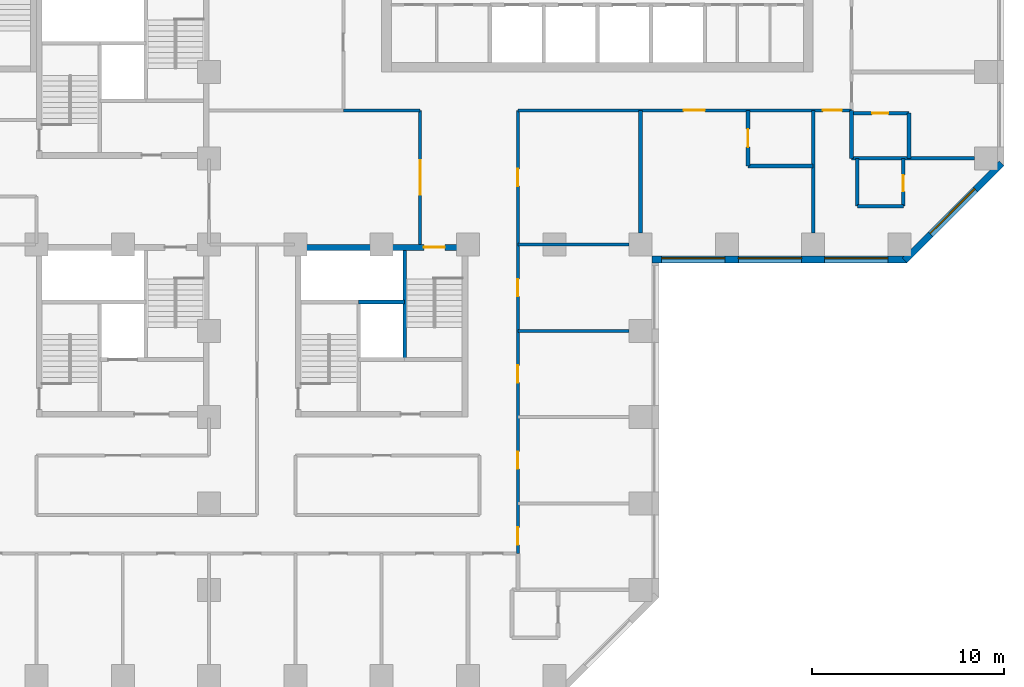
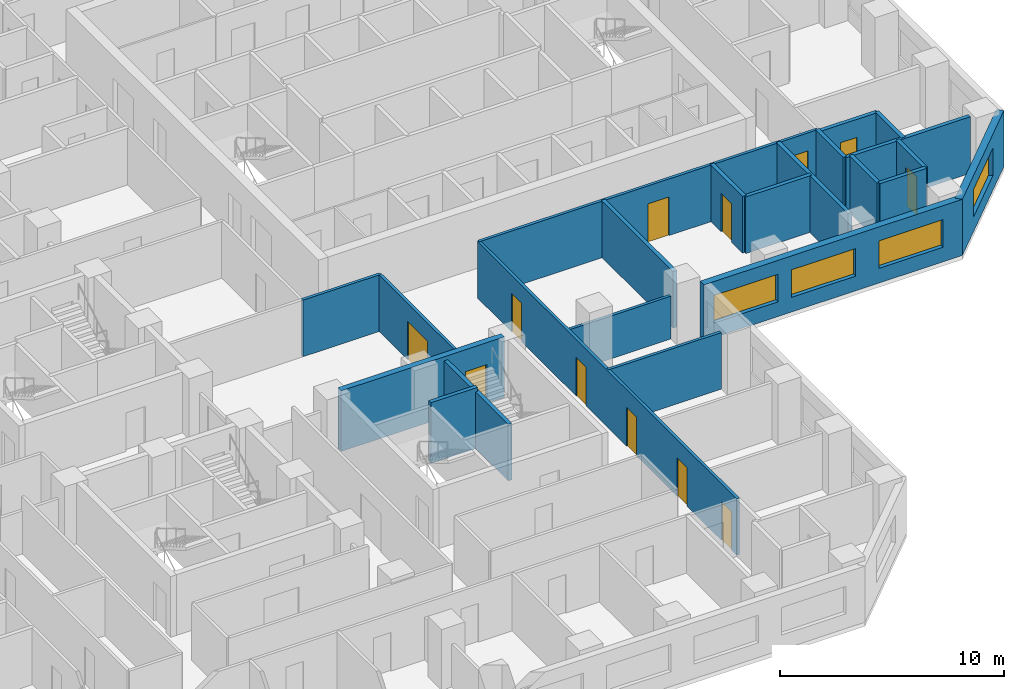
# One storey, part 5 of 13: 22 walls, 12 doors, 4 windows, 16 openings.
"""IFC4 building model written with IfcOpenShell, lengths in metres."""

from ifc_helpers import new_model, si_unit, direction, frame, frame_2d, origin, place, context, subcontext, project, spatial, rectangle, extrude, material, layer, layer_set, constituent, constituent_set, type_object, element, fill, save


model = new_model("IFC4")

# Units and contexts
model_context = context("Model", 3, precision=1e-05, world=origin(), true_north=direction((0.0, 1.0)))
body_context = subcontext(model_context, "Body", "Model", "MODEL_VIEW")
ifc_project = project(units=[si_unit("LENGTHUNIT", "METRE"), si_unit("AREAUNIT", "SQUARE_METRE"), si_unit("VOLUMEUNIT", "CUBIC_METRE"), si_unit("PLANEANGLEUNIT", "RADIAN"), si_unit("MASSUNIT", "GRAM", prefix="KILO")], contexts=[model_context])

# Site, building, storey
site_placement = place(None, origin())
site = spatial("IfcSite", under=ifc_project, at=site_placement, CompositionType="ELEMENT")
building_placement = place(site_placement, origin())
building = spatial("IfcBuilding", under=site, at=building_placement, Name="Quoin Convention Tower", CompositionType="ELEMENT")
storey_placement = place(building_placement, frame((0.0, 0.0, 23.10009765625)))
storey = spatial("IfcBuildingStorey", under=building, at=storey_placement, Name="L04", CompositionType="ELEMENT", Elevation=23.10009765625)

# Wall, openings, windows
ifc_material_1 = material(Name="Brick masonry", Category="masonry")
ifc_layer_1 = layer(ifc_material_1, 0.35009765625)
ifc_layer_set_1 = layer_set([ifc_layer_1], Name="Brick masonry")
wall_type_1 = type_object("IfcWallType", Name="Brick facade wall", PredefinedType="STANDARD", material=ifc_layer_set_1)
wall_1_placement = place(storey_placement, frame((59.10009765625, 39.72509765625, 0.0), z_axis=(0.0, 0.0, 1.0), x_axis=(1.0, 0.0, 0.0)))
wall_1 = element("IfcWall", 1, at=wall_1_placement, inside=storey, type_object=wall_type_1, Name="fw-L04-58500_40500", PredefinedType="STANDARD", context=body_context, shape_type="SweptSolid", body=[
    extrude(rectangle(XDim=13.29345703125, YDim=0.35009765625, at=frame_2d((6.646728515625, 0.0))), origin(), (0.0, 0.0, 1.0), 3.054931640625),
])
opening_1_placement = place(wall_1_placement, frame((0.5, 0.0, 0.800048828125)))
opening_1 = element("IfcOpeningElement", 2, at=opening_1_placement, cuts=wall_1, Name="Opening W-01", PredefinedType="OPENING", context=body_context, shape_type="SweptSolid", body=[
    extrude(rectangle(XDim=3.300048828125, YDim=1.5, at=frame_2d((1.64990234375, 0.75))), frame((0.0, 0.18505859375, 0.0), z_axis=(0.0, -1.0, 0.0), x_axis=(1.0, 0.0, 0.0)), (0.0, 0.0, 1.0), 0.3701171875),
])
opening_2_placement = place(wall_1_placement, frame((4.5, 0.0, 0.800048828125)))
opening_2 = element("IfcOpeningElement", 3, at=opening_2_placement, cuts=wall_1, Name="Opening W-01", PredefinedType="OPENING", context=body_context, shape_type="SweptSolid", body=[
    extrude(rectangle(XDim=3.300048828125, YDim=1.5, at=frame_2d((1.64990234375, 0.75))), frame((0.0, 0.18505859375, 0.0), z_axis=(0.0, -1.0, 0.0), x_axis=(1.0, 0.0, 0.0)), (0.0, 0.0, 1.0), 0.3701171875),
])
opening_3_placement = place(wall_1_placement, frame((9.0, 0.0, 0.800048828125)))
opening_3 = element("IfcOpeningElement", 4, at=opening_3_placement, cuts=wall_1, Name="Opening W-01", PredefinedType="OPENING", context=body_context, shape_type="SweptSolid", body=[
    extrude(rectangle(XDim=3.300048828125, YDim=1.5, at=frame_2d((1.64990234375, 0.75))), frame((0.0, 0.18505859375, 0.0), z_axis=(0.0, -1.0, 0.0), x_axis=(1.0, 0.0, 0.0)), (0.0, 0.0, 1.0), 0.3701171875),
])
ifc_material_2 = material(Name="Aluminium", Category="aluminium")
ifc_constituent_1 = constituent(ifc_material_2, Name="Frame")
ifc_material_3 = material(Name="Insulated glass", Category="glass")
ifc_constituent_2 = constituent(ifc_material_3, Name="Glazing")
ifc_constituent_set = constituent_set(constituents=[ifc_constituent_1, ifc_constituent_2], Name="Aluminium")
window_type = type_object("IfcWindowType", Name="Hotel strip window", PartitioningType="DOUBLE_PANEL_VERTICAL", PredefinedType="WINDOW", material=ifc_constituent_set)
window_1_placement = place(opening_1_placement, origin())
window_1 = element("IfcWindow", 5, at=window_1_placement, inside=storey, type_object=window_type, Name="win-L04-60750_39725", OverallHeight=1.5, OverallWidth=3.300048828125, PartitioningType="SINGLE_PANEL", PredefinedType="WINDOW", context=body_context, shape_type="SweptSolid", body=[
    extrude(rectangle(XDim=3.300048828125, YDim=1.5, at=frame_2d((1.64990234375, 0.75))), frame((0.0, 0.0849609375, 0.0), z_axis=(0.0, -1.0, 0.0), x_axis=(1.0, 0.0, 0.0)), (0.0, 0.0, 1.0), 0.06005859375),
])
fill(opening_1, window_1)
window_2_placement = place(opening_2_placement, origin())
window_2 = element("IfcWindow", 6, at=window_2_placement, inside=storey, type_object=window_type, Name="win-L04-65250_39725", OverallHeight=1.5, OverallWidth=3.300048828125, PartitioningType="SINGLE_PANEL", PredefinedType="WINDOW", context=body_context, shape_type="SweptSolid", body=[
    extrude(rectangle(XDim=3.300048828125, YDim=1.5, at=frame_2d((1.64990234375, 0.75))), frame((0.0, 0.0849609375, 0.0), z_axis=(0.0, -1.0, 0.0), x_axis=(1.0, 0.0, 0.0)), (0.0, 0.0, 1.0), 0.06005859375),
])
fill(opening_2, window_2)
window_3_placement = place(opening_3_placement, origin())
window_3 = element("IfcWindow", 7, at=window_3_placement, inside=storey, type_object=window_type, Name="win-L04-69750_39725", OverallHeight=1.5, OverallWidth=3.300048828125, PartitioningType="SINGLE_PANEL", PredefinedType="WINDOW", context=body_context, shape_type="SweptSolid", body=[
    extrude(rectangle(XDim=3.300048828125, YDim=1.5, at=frame_2d((1.64990234375, 0.75))), frame((0.0, 0.0849609375, 0.0), z_axis=(0.0, -1.0, 0.0), x_axis=(1.0, 0.0, 0.0)), (0.0, 0.0, 1.0), 0.06005859375),
])
fill(opening_3, window_3)

# Wall, opening, window
wall_2_placement = place(storey_placement, frame((72.269775390625, 39.673583984375, 0.0), z_axis=(0.0, 0.0, 1.0), x_axis=(0.707106781187, 0.707106781187, 0.0)))
wall_2 = element("IfcWall", 8, at=wall_2_placement, inside=storey, type_object=wall_type_1, Name="fw-L04-72000_40500", PredefinedType="STANDARD", context=body_context, shape_type="SweptSolid", body=[
    extrude(rectangle(XDim=7.151123046875, YDim=0.35009765625, at=frame_2d((3.57568359375, 0.0))), origin(), (0.0, 0.0, 1.0), 3.054931640625),
])
opening_4_placement = place(wall_2_placement, frame((1.925537109375, 0.0, 0.800048828125)))
opening_4 = element("IfcOpeningElement", 9, at=opening_4_placement, cuts=wall_2, Name="Opening W-01", PredefinedType="OPENING", context=body_context, shape_type="SweptSolid", body=[
    extrude(rectangle(XDim=3.300048828125, YDim=1.5, at=frame_2d((1.64990234375, 0.75))), frame((0.0, 0.18505859375, 0.0), z_axis=(0.0, -1.0, 0.0), x_axis=(1.0, 0.0, 0.0)), (0.0, 0.0, 1.0), 0.3701171875),
])
window_4_placement = place(opening_4_placement, origin())
window_4 = element("IfcWindow", 10, at=window_4_placement, inside=storey, type_object=window_type, Name="win-L04-74798_42202", OverallHeight=1.5, OverallWidth=3.300048828125, PartitioningType="SINGLE_PANEL", PredefinedType="WINDOW", context=body_context, shape_type="SweptSolid", body=[
    extrude(rectangle(XDim=3.300048828125, YDim=1.5, at=frame_2d((1.64990234375, 0.75))), frame((0.0, 0.0849609375, 0.0), z_axis=(0.0, -1.0, 0.0), x_axis=(1.0, 0.0, 0.0)), (0.0, 0.0, 1.0), 0.06005859375),
])
fill(opening_4, window_4)

# Walls
ifc_material_4 = material(Name="Concrete C50", Category="concrete")
ifc_layer_2 = layer(ifc_material_4, 0.199951171875)
ifc_layer_set_2 = layer_set([ifc_layer_2], Name="Concrete C50")
wall_type_2 = type_object("IfcWallType", Name="Core shaft wall", PredefinedType="SOLIDWALL", material=ifc_layer_set_2)
wall_3_placement = place(storey_placement, frame((46.199951171875, 34.5, 0.0), z_axis=(0.0, 0.0, 1.0), x_axis=(0.0, 1.0, 0.0)))
element("IfcWall", 11, at=wall_3_placement, inside=storey, type_object=wall_type_2, Name="cr-P3-L04-v5700_3000", PredefinedType="SOLIDWALL", context=body_context, shape_type="SweptSolid", body=[
    extrude(rectangle(XDim=5.699951171875, YDim=0.199951171875, at=frame_2d((2.85009765625, 0.0))), origin(), (0.0, 0.0, 1.0), 3.079833984375),
])
ifc_layer_3 = layer(ifc_material_4, 0.199951171875)
ifc_layer_set_3 = layer_set([ifc_layer_3], Name="Concrete C50")
wall_type_3 = type_object("IfcWallType", Name="Core shaft wall to the floor level over", PredefinedType="SOLIDWALL", material=ifc_layer_set_3)
wall_4_placement = place(storey_placement, frame((43.800048828125, 37.5, 0.0), z_axis=(0.0, 0.0, 1.0), x_axis=(1.0, 0.0, 0.0)))
element("IfcWall", 12, at=wall_4_placement, inside=storey, type_object=wall_type_3, Name="cr-P3-L04-h6000_3300", PredefinedType="SOLIDWALL", context=body_context, shape_type="SweptSolid", body=[
    extrude(rectangle(XDim=2.39990234375, YDim=0.199951171875, at=frame_2d((1.199951171875, 0.0))), origin(), (0.0, 0.0, 1.0), 3.2998046875),
])

# Wall, opening, door
ifc_material_5 = material(Name="Concrete C80", Category="concrete")
ifc_layer_4 = layer(ifc_material_5, 0.300048828125)
ifc_layer_set_4 = layer_set([ifc_layer_4], Name="Concrete C80")
wall_type_4 = type_object("IfcWallType", Name="RC CORE WALL 300 C80", PredefinedType="SHEAR", material=ifc_layer_set_4)
wall_5_placement = place(storey_placement, frame((40.800048828125, 40.35009765625, 0.0), z_axis=(0.0, 0.0, 1.0), x_axis=(1.0, 0.0, 0.0)))
wall_5 = element("IfcWall", 13, at=wall_5_placement, inside=storey, type_object=wall_type_4, Name="cwl-P3-L04-N", PredefinedType="SHEAR", context=body_context, shape_type="SweptSolid", body=[
    extrude(rectangle(XDim=8.39990234375, YDim=0.300048828125, at=frame_2d((4.199951171875, 0.0))), origin(), (0.0, 0.0, 1.0), 3.2998046875),
])
opening_5_placement = place(wall_5_placement, frame((6.39990234375, 0.0, 0.0)))
opening_5 = element("IfcOpeningElement", 14, at=opening_5_placement, cuts=wall_5, Name="Opening SD6", PredefinedType="OPENING", context=body_context, shape_type="SweptSolid", body=[
    extrude(rectangle(XDim=1.10009765625, YDim=2.10009765625, at=frame_2d((0.550048828125, 1.050048828125))), frame((0.0, 0.159912109375, 0.0), z_axis=(0.0, -1.0, 0.0), x_axis=(1.0, 0.0, 0.0)), (0.0, 0.0, 1.0), 0.320068359375),
])
ifc_material_6 = material(Name="Steel door leaf", Category="steel")
door_type_1 = type_object("IfcDoorType", Name="Stair door 1100 x 2100", OperationType="SINGLE_SWING_RIGHT", PredefinedType="DOOR", material=ifc_material_6)
door_1_placement = place(opening_5_placement, frame((1.10009765625, 0.0, 0.0), z_axis=(0.0, 0.0, 1.0), x_axis=(-1.0, 0.0, 0.0)))
door_1 = element("IfcDoor", 15, at=door_1_placement, inside=storey, type_object=door_type_1, Name="cd-P3-L04-SB-N", OperationType="SINGLE_SWING_LEFT", OverallHeight=2.10009765625, OverallWidth=1.10009765625, PredefinedType="DOOR", context=body_context, shape_type="SweptSolid", body=[
    extrude(rectangle(XDim=1.10009765625, YDim=2.10009765625, at=frame_2d((0.550048828125, 1.050048828125))), frame((0.0, 0.02490234375, 0.0), z_axis=(0.0, -1.0, 0.0), x_axis=(1.0, 0.0, 0.0)), (0.0, 0.0, 1.0), 0.050048828125),
])
fill(opening_5, door_1)

# Walls
ifc_layer_5 = layer(ifc_material_4, 0.199951171875)
ifc_layer_set_5 = layer_set([ifc_layer_5], Name="Concrete C50")
wall_type_5 = type_object("IfcWallType", Name="RC party wall", PredefinedType="SOLIDWALL", material=ifc_layer_set_5)
wall_6_placement = place(storey_placement, frame((67.5, 41.10009765625, 0.0), z_axis=(0.0, 0.0, 1.0), x_axis=(0.0, 1.0, 0.0)))
element("IfcWall", 16, at=wall_6_placement, inside=storey, type_object=wall_type_5, Name="pw-L04-058", PredefinedType="SOLIDWALL", context=body_context, shape_type="SweptSolid", body=[
    extrude(rectangle(XDim=6.39990234375, YDim=0.199951171875, at=frame_2d((3.199951171875, 0.0))), origin(), (0.0, 0.0, 1.0), 3.079833984375),
])
wall_7_placement = place(storey_placement, frame((69.800048828125, 42.5, 0.0), z_axis=(0.0, 0.0, 1.0), x_axis=(1.0, 0.0, 0.0)))
element("IfcWall", 17, at=wall_7_placement, inside=storey, type_object=wall_type_5, Name="pw-L04-059", PredefinedType="SOLIDWALL", context=body_context, shape_type="SweptSolid", body=[
    extrude(rectangle(XDim=2.39990234375, YDim=0.199951171875, at=frame_2d((1.199951171875, 0.0))), origin(), (0.0, 0.0, 1.0), 3.079833984375),
])
wall_8_placement = place(storey_placement, frame((69.800048828125, 42.5, 0.0), z_axis=(0.0, 0.0, 1.0), x_axis=(0.0, 1.0, 0.0)))
element("IfcWall", 18, at=wall_8_placement, inside=storey, type_object=wall_type_5, Name="pw-L04-060", PredefinedType="SOLIDWALL", context=body_context, shape_type="SweptSolid", body=[
    extrude(rectangle(XDim=2.5, YDim=0.199951171875, at=frame_2d((1.25, 0.0))), origin(), (0.0, 0.0, 1.0), 3.079833984375),
])

# Wall, opening, door
wall_9_placement = place(storey_placement, frame((72.199951171875, 42.5, 0.0), z_axis=(0.0, 0.0, 1.0), x_axis=(0.0, 1.0, 0.0)))
wall_9 = element("IfcWall", 19, at=wall_9_placement, inside=storey, type_object=wall_type_5, Name="pw-L04-061", PredefinedType="SOLIDWALL", context=body_context, shape_type="SweptSolid", body=[
    extrude(rectangle(XDim=2.5, YDim=0.199951171875, at=frame_2d((1.25, 0.0))), origin(), (0.0, 0.0, 1.0), 3.079833984375),
])
opening_6_placement = place(wall_9_placement, frame((0.77490234375, 0.0, 0.0)))
opening_6 = element("IfcOpeningElement", 20, at=opening_6_placement, cuts=wall_9, Name="Opening DHOTEL-M-53", PredefinedType="OPENING", context=body_context, shape_type="SweptSolid", body=[
    extrude(rectangle(XDim=0.85009765625, YDim=2.10009765625, at=frame_2d((0.425048828125, 1.050048828125))), frame((0.0, 0.10986328125, 0.0), z_axis=(0.0, -1.0, 0.0), x_axis=(1.0, 0.0, 0.0)), (0.0, 0.0, 1.0), 0.219970703125),
])
door_type_2 = type_object("IfcDoorType", Name="Bathroom door", OperationType="SINGLE_SWING_LEFT", PredefinedType="DOOR", material=ifc_material_6)
door_2_placement = place(opening_6_placement, frame((0.85009765625, 0.0, 0.0), z_axis=(0.0, 0.0, 1.0), x_axis=(-1.0, 0.0, 0.0)))
door_2 = element("IfcDoor", 21, at=door_2_placement, inside=storey, type_object=door_type_2, Name="dr-L04-072", OperationType="SINGLE_SWING_LEFT", OverallHeight=2.10009765625, OverallWidth=0.85009765625, PredefinedType="DOOR", context=body_context, shape_type="SweptSolid", body=[
    extrude(rectangle(XDim=0.85009765625, YDim=2.10009765625, at=frame_2d((0.425048828125, 1.050048828125))), frame((0.0, 0.02490234375, 0.0), z_axis=(0.0, -1.0, 0.0), x_axis=(1.0, 0.0, 0.0)), (0.0, 0.0, 1.0), 0.050048828125),
])
fill(opening_6, door_2)

# Wall
wall_10_placement = place(storey_placement, frame((64.10009765625, 44.60009765625, 0.0), z_axis=(0.0, 0.0, 1.0), x_axis=(1.0, 0.0, 0.0)))
element("IfcWall", 22, at=wall_10_placement, inside=storey, type_object=wall_type_5, Name="pw-L04-063", PredefinedType="SOLIDWALL", context=body_context, shape_type="SweptSolid", body=[
    extrude(rectangle(XDim=3.39990234375, YDim=0.199951171875, at=frame_2d((1.699951171875, 0.0))), origin(), (0.0, 0.0, 1.0), 3.079833984375),
])

# Wall, opening, door
wall_11_placement = place(storey_placement, frame((64.10009765625, 44.60009765625, 0.0), z_axis=(0.0, 0.0, 1.0), x_axis=(0.0, 1.0, 0.0)))
wall_11 = element("IfcWall", 23, at=wall_11_placement, inside=storey, type_object=wall_type_5, Name="pw-L04-064", PredefinedType="SOLIDWALL", context=body_context, shape_type="SweptSolid", body=[
    extrude(rectangle(XDim=2.89990234375, YDim=0.199951171875, at=frame_2d((1.449951171875, 0.0))), origin(), (0.0, 0.0, 1.0), 3.079833984375),
])
opening_7_placement = place(wall_11_placement, frame((0.97509765625, 0.0, 0.0)))
opening_7 = element("IfcOpeningElement", 24, at=opening_7_placement, cuts=wall_11, Name="Opening DHOTEL-M-55", PredefinedType="OPENING", context=body_context, shape_type="SweptSolid", body=[
    extrude(rectangle(XDim=0.949951171875, YDim=2.10009765625, at=frame_2d((0.47509765625, 1.050048828125))), frame((0.0, 0.10986328125, 0.0), z_axis=(0.0, -1.0, 0.0), x_axis=(1.0, 0.0, 0.0)), (0.0, 0.0, 1.0), 0.219970703125),
])
door_type_3 = type_object("IfcDoorType", Name="Accessible bathroom door", OperationType="SINGLE_SWING_LEFT", PredefinedType="DOOR", material=ifc_material_6)
door_3_placement = place(opening_7_placement, origin())
door_3 = element("IfcDoor", 25, at=door_3_placement, inside=storey, type_object=door_type_3, Name="dr-L04-060", OperationType="SINGLE_SWING_RIGHT", OverallHeight=2.10009765625, OverallWidth=0.949951171875, PredefinedType="DOOR", context=body_context, shape_type="SweptSolid", body=[
    extrude(rectangle(XDim=0.949951171875, YDim=2.10009765625, at=frame_2d((0.47509765625, 1.050048828125))), frame((0.0, 0.02490234375, 0.0), z_axis=(0.0, -1.0, 0.0), x_axis=(1.0, 0.0, 0.0)), (0.0, 0.0, 1.0), 0.050048828125),
])
fill(opening_7, door_3)

# Walls
wall_12_placement = place(storey_placement, frame((69.5, 45.0, 0.0), z_axis=(0.0, 0.0, 1.0), x_axis=(1.0, 0.0, 0.0)))
element("IfcWall", 26, at=wall_12_placement, inside=storey, type_object=wall_type_5, Name="pw-L04-066", PredefinedType="SOLIDWALL", context=body_context, shape_type="SweptSolid", body=[
    extrude(rectangle(XDim=6.39990234375, YDim=0.199951171875, at=frame_2d((3.199951171875, 0.0))), origin(), (0.0, 0.0, 1.0), 3.079833984375),
])
wall_13_placement = place(storey_placement, frame((69.5, 45.0, 0.0), z_axis=(0.0, 0.0, 1.0), x_axis=(0.0, 1.0, 0.0)))
element("IfcWall", 27, at=wall_13_placement, inside=storey, type_object=wall_type_5, Name="pw-L04-067", PredefinedType="SOLIDWALL", context=body_context, shape_type="SweptSolid", body=[
    extrude(rectangle(XDim=2.5, YDim=0.199951171875, at=frame_2d((1.25, 0.0))), origin(), (0.0, 0.0, 1.0), 3.079833984375),
])
wall_14_placement = place(storey_placement, frame((72.5, 45.0, 0.0), z_axis=(0.0, 0.0, 1.0), x_axis=(0.0, 1.0, 0.0)))
element("IfcWall", 28, at=wall_14_placement, inside=storey, type_object=wall_type_5, Name="pw-L04-068", PredefinedType="SOLIDWALL", context=body_context, shape_type="SweptSolid", body=[
    extrude(rectangle(XDim=2.35009765625, YDim=0.199951171875, at=frame_2d((1.175048828125, 0.0))), origin(), (0.0, 0.0, 1.0), 3.079833984375),
])

# Wall, opening, door
wall_15_placement = place(storey_placement, frame((69.5, 47.35009765625, 0.0), z_axis=(0.0, 0.0, 1.0), x_axis=(1.0, 0.0, 0.0)))
wall_15 = element("IfcWall", 29, at=wall_15_placement, inside=storey, type_object=wall_type_5, Name="pw-L04-069", PredefinedType="SOLIDWALL", context=body_context, shape_type="SweptSolid", body=[
    extrude(rectangle(XDim=3.0, YDim=0.199951171875, at=frame_2d((1.5, 0.0))), origin(), (0.0, 0.0, 1.0), 3.079833984375),
])
opening_8_placement = place(wall_15_placement, frame((1.074951171875, 0.0, 0.0)))
opening_8 = element("IfcOpeningElement", 30, at=opening_8_placement, cuts=wall_15, Name="Opening DHOTEL-M-56", PredefinedType="OPENING", context=body_context, shape_type="SweptSolid", body=[
    extrude(rectangle(XDim=0.85009765625, YDim=2.10009765625, at=frame_2d((0.425048828125, 1.050048828125))), frame((0.0, 0.10986328125, 0.0), z_axis=(0.0, -1.0, 0.0), x_axis=(1.0, 0.0, 0.0)), (0.0, 0.0, 1.0), 0.219970703125),
])
door_4_placement = place(opening_8_placement, origin())
door_4 = element("IfcDoor", 31, at=door_4_placement, inside=storey, type_object=door_type_2, Name="dr-L04-058", OperationType="SINGLE_SWING_LEFT", OverallHeight=2.10009765625, OverallWidth=0.85009765625, PredefinedType="DOOR", context=body_context, shape_type="SweptSolid", body=[
    extrude(rectangle(XDim=0.85009765625, YDim=2.10009765625, at=frame_2d((0.425048828125, 1.050048828125))), frame((0.0, 0.02490234375, 0.0), z_axis=(0.0, -1.0, 0.0), x_axis=(1.0, 0.0, 0.0)), (0.0, 0.0, 1.0), 0.050048828125),
])
fill(opening_8, door_4)

# Wall, openings, doors
ifc_material_7 = material(Name="Plasterboard")
ifc_layer_6 = layer(ifc_material_7, 0.012451171875, Name="Finish")
ifc_material_8 = material(Name="Steel stud framing", Category="steel")
ifc_layer_7 = layer(ifc_material_8, 0.125, Name="Structure")
ifc_layer_8 = layer(ifc_material_7, 0.012451171875, Name="Finish")
ifc_layer_set_6 = layer_set([ifc_layer_6, ifc_layer_7, ifc_layer_8], Name="Steel stud framing")
wall_type_6 = type_object("IfcWallType", Name="corridor partition", PredefinedType="PARTITIONING", material=ifc_layer_set_6)
wall_16_placement = place(storey_placement, frame((52.10009765625, 24.39990234375, 0.0), z_axis=(0.0, 0.0, 1.0), x_axis=(0.0, 1.0, 0.0)))
wall_16 = element("IfcWall", 32, at=wall_16_placement, inside=storey, type_object=wall_type_6, Name="pw-L04-006", PredefinedType="PARTITIONING", context=body_context, shape_type="SweptSolid", body=[
    extrude(rectangle(XDim=23.10009765625, YDim=0.14990234375, at=frame_2d((11.550048828125, 0.0))), origin(), (0.0, 0.0, 1.0), 3.079833984375),
])
opening_9_placement = place(wall_16_placement, frame((0.447021484375, 0.0, 0.0)))
opening_9 = element("IfcOpeningElement", 33, at=opening_9_placement, cuts=wall_16, Name="Opening DHOTEL-M-15", PredefinedType="OPENING", context=body_context, shape_type="SweptSolid", body=[
    extrude(rectangle(XDim=0.89990234375, YDim=2.10009765625, at=frame_2d((0.449951171875, 1.050048828125))), frame((0.0, 0.0849609375, 0.0), z_axis=(0.0, -1.0, 0.0), x_axis=(1.0, 0.0, 0.0)), (0.0, 0.0, 1.0), 0.169921875),
])
opening_10_placement = place(wall_16_placement, frame((4.39990234375, 0.0, 0.0)))
opening_10 = element("IfcOpeningElement", 34, at=opening_10_placement, cuts=wall_16, Name="Opening DHOTEL-M-16", PredefinedType="OPENING", context=body_context, shape_type="SweptSolid", body=[
    extrude(rectangle(XDim=0.89990234375, YDim=2.10009765625, at=frame_2d((0.449951171875, 1.050048828125))), frame((0.0, 0.0849609375, 0.0), z_axis=(0.0, -1.0, 0.0), x_axis=(1.0, 0.0, 0.0)), (0.0, 0.0, 1.0), 0.169921875),
])
opening_11_placement = place(wall_16_placement, frame((8.89990234375, 0.0, 0.0)))
opening_11 = element("IfcOpeningElement", 35, at=opening_11_placement, cuts=wall_16, Name="Opening DHOTEL-M-17", PredefinedType="OPENING", context=body_context, shape_type="SweptSolid", body=[
    extrude(rectangle(XDim=0.89990234375, YDim=2.10009765625, at=frame_2d((0.449951171875, 1.050048828125))), frame((0.0, 0.0849609375, 0.0), z_axis=(0.0, -1.0, 0.0), x_axis=(1.0, 0.0, 0.0)), (0.0, 0.0, 1.0), 0.169921875),
])
opening_12_placement = place(wall_16_placement, frame((13.39990234375, 0.0, 0.0)))
opening_12 = element("IfcOpeningElement", 36, at=opening_12_placement, cuts=wall_16, Name="Opening DHOTEL-M-18", PredefinedType="OPENING", context=body_context, shape_type="SweptSolid", body=[
    extrude(rectangle(XDim=0.89990234375, YDim=2.10009765625, at=frame_2d((0.449951171875, 1.050048828125))), frame((0.0, 0.0849609375, 0.0), z_axis=(0.0, -1.0, 0.0), x_axis=(1.0, 0.0, 0.0)), (0.0, 0.0, 1.0), 0.169921875),
])
opening_13_placement = place(wall_16_placement, frame((19.14990234375, 0.0, 0.0)))
opening_13 = element("IfcOpeningElement", 37, at=opening_13_placement, cuts=wall_16, Name="Opening DHOTEL-M-19", PredefinedType="OPENING", context=body_context, shape_type="SweptSolid", body=[
    extrude(rectangle(XDim=0.89990234375, YDim=2.10009765625, at=frame_2d((0.449951171875, 1.050048828125))), frame((0.0, 0.0849609375, 0.0), z_axis=(0.0, -1.0, 0.0), x_axis=(1.0, 0.0, 0.0)), (0.0, 0.0, 1.0), 0.169921875),
])
door_type_4 = type_object("IfcDoorType", Name="Service room door", OperationType="SINGLE_SWING_LEFT", PredefinedType="DOOR", material=ifc_material_6)
door_5_placement = place(opening_9_placement, frame((0.89990234375, 0.0, 0.0), z_axis=(0.0, 0.0, 1.0), x_axis=(-1.0, 0.0, 0.0)))
door_5 = element("IfcDoor", 38, at=door_5_placement, inside=storey, type_object=door_type_4, Name="dr-L04-021", OperationType="SINGLE_SWING_RIGHT", OverallHeight=2.10009765625, OverallWidth=0.89990234375, PredefinedType="DOOR", context=body_context, shape_type="SweptSolid", body=[
    extrude(rectangle(XDim=0.89990234375, YDim=2.10009765625, at=frame_2d((0.449951171875, 1.050048828125))), frame((0.0, 0.02490234375, 0.0), z_axis=(0.0, -1.0, 0.0), x_axis=(1.0, 0.0, 0.0)), (0.0, 0.0, 1.0), 0.050048828125),
])
fill(opening_9, door_5)
door_6_placement = place(opening_10_placement, frame((0.89990234375, 0.0, 0.0), z_axis=(0.0, 0.0, 1.0), x_axis=(-1.0, 0.0, 0.0)))
door_6 = element("IfcDoor", 39, at=door_6_placement, inside=storey, type_object=door_type_4, Name="dr-L04-022", OperationType="SINGLE_SWING_LEFT", OverallHeight=2.10009765625, OverallWidth=0.89990234375, PredefinedType="DOOR", context=body_context, shape_type="SweptSolid", body=[
    extrude(rectangle(XDim=0.89990234375, YDim=2.10009765625, at=frame_2d((0.449951171875, 1.050048828125))), frame((0.0, 0.02490234375, 0.0), z_axis=(0.0, -1.0, 0.0), x_axis=(1.0, 0.0, 0.0)), (0.0, 0.0, 1.0), 0.050048828125),
])
fill(opening_10, door_6)
door_7_placement = place(opening_11_placement, frame((0.89990234375, 0.0, 0.0), z_axis=(0.0, 0.0, 1.0), x_axis=(-1.0, 0.0, 0.0)))
door_7 = element("IfcDoor", 40, at=door_7_placement, inside=storey, type_object=door_type_4, Name="dr-L04-023", OperationType="SINGLE_SWING_LEFT", OverallHeight=2.10009765625, OverallWidth=0.89990234375, PredefinedType="DOOR", context=body_context, shape_type="SweptSolid", body=[
    extrude(rectangle(XDim=0.89990234375, YDim=2.10009765625, at=frame_2d((0.449951171875, 1.050048828125))), frame((0.0, 0.02490234375, 0.0), z_axis=(0.0, -1.0, 0.0), x_axis=(1.0, 0.0, 0.0)), (0.0, 0.0, 1.0), 0.050048828125),
])
fill(opening_11, door_7)
door_8_placement = place(opening_12_placement, frame((0.89990234375, 0.0, 0.0), z_axis=(0.0, 0.0, 1.0), x_axis=(-1.0, 0.0, 0.0)))
door_8 = element("IfcDoor", 41, at=door_8_placement, inside=storey, type_object=door_type_4, Name="dr-L04-024", OperationType="SINGLE_SWING_LEFT", OverallHeight=2.10009765625, OverallWidth=0.89990234375, PredefinedType="DOOR", context=body_context, shape_type="SweptSolid", body=[
    extrude(rectangle(XDim=0.89990234375, YDim=2.10009765625, at=frame_2d((0.449951171875, 1.050048828125))), frame((0.0, 0.02490234375, 0.0), z_axis=(0.0, -1.0, 0.0), x_axis=(1.0, 0.0, 0.0)), (0.0, 0.0, 1.0), 0.050048828125),
])
fill(opening_12, door_8)
door_9_placement = place(opening_13_placement, frame((0.89990234375, 0.0, 0.0), z_axis=(0.0, 0.0, 1.0), x_axis=(-1.0, 0.0, 0.0)))
door_9 = element("IfcDoor", 42, at=door_9_placement, inside=storey, type_object=door_type_4, Name="dr-L04-083", OperationType="SINGLE_SWING_LEFT", OverallHeight=2.10009765625, OverallWidth=0.89990234375, PredefinedType="DOOR", context=body_context, shape_type="SweptSolid", body=[
    extrude(rectangle(XDim=0.89990234375, YDim=2.10009765625, at=frame_2d((0.449951171875, 1.050048828125))), frame((0.0, 0.02490234375, 0.0), z_axis=(0.0, -1.0, 0.0), x_axis=(1.0, 0.0, 0.0)), (0.0, 0.0, 1.0), 0.050048828125),
])
fill(opening_13, door_9)

# Wall, opening, door
wall_17_placement = place(storey_placement, frame((47.0, 40.5, 0.0), z_axis=(0.0, 0.0, 1.0), x_axis=(0.0, 1.0, 0.0)))
wall_17 = element("IfcWall", 43, at=wall_17_placement, inside=storey, type_object=wall_type_6, Name="pw-L04-023", PredefinedType="PARTITIONING", context=body_context, shape_type="SweptSolid", body=[
    extrude(rectangle(XDim=7.0, YDim=0.14990234375, at=frame_2d((3.5, 0.0))), origin(), (0.0, 0.0, 1.0), 3.079833984375),
])
opening_14_placement = place(wall_17_placement, frame((2.60009765625, 0.0, 0.0)))
opening_14 = element("IfcOpeningElement", 44, at=opening_14_placement, cuts=wall_17, Name="Opening DHOTEL-M-26", PredefinedType="OPENING", context=body_context, shape_type="SweptSolid", body=[
    extrude(rectangle(XDim=1.800048828125, YDim=2.10009765625, at=frame_2d((0.89990234375, 1.050048828125))), frame((0.0, 0.0849609375, 0.0), z_axis=(0.0, -1.0, 0.0), x_axis=(1.0, 0.0, 0.0)), (0.0, 0.0, 1.0), 0.169921875),
])
door_type_5 = type_object("IfcDoorType", Name="Double meeting room door", OperationType="DOUBLE_DOOR_SINGLE_SWING", PredefinedType="DOOR", material=ifc_material_6)
door_10_placement = place(opening_14_placement, origin())
door_10 = element("IfcDoor", 45, at=door_10_placement, inside=storey, type_object=door_type_5, Name="dr-L04-081", OperationType="DOUBLE_DOOR_SINGLE_SWING", OverallHeight=2.10009765625, OverallWidth=1.800048828125, PredefinedType="DOOR", context=body_context, shape_type="SweptSolid", body=[
    extrude(rectangle(XDim=1.800048828125, YDim=2.10009765625, at=frame_2d((0.89990234375, 1.050048828125))), frame((0.0, 0.02490234375, 0.0), z_axis=(0.0, -1.0, 0.0), x_axis=(1.0, 0.0, 0.0)), (0.0, 0.0, 1.0), 0.050048828125),
])
fill(opening_14, door_10)

# Wall
wall_18_placement = place(storey_placement, frame((43.0, 47.5, 0.0), z_axis=(0.0, 0.0, 1.0), x_axis=(1.0, 0.0, 0.0)))
element("IfcWall", 46, at=wall_18_placement, inside=storey, type_object=wall_type_6, Name="pw-L04-027", PredefinedType="PARTITIONING", context=body_context, shape_type="SweptSolid", body=[
    extrude(rectangle(XDim=4.0, YDim=0.14990234375, at=frame_2d((2.0, 0.0))), origin(), (0.0, 0.0, 1.0), 3.079833984375),
])

# Wall, openings, doors
wall_19_placement = place(storey_placement, frame((52.10009765625, 47.5, 0.0), z_axis=(0.0, 0.0, 1.0), x_axis=(1.0, 0.0, 0.0)))
wall_19 = element("IfcWall", 47, at=wall_19_placement, inside=storey, type_object=wall_type_6, Name="pw-L04-029", PredefinedType="PARTITIONING", context=body_context, shape_type="SweptSolid", body=[
    extrude(rectangle(XDim=17.39990234375, YDim=0.14990234375, at=frame_2d((8.699951171875, 0.0))), origin(), (0.0, 0.0, 1.0), 3.079833984375),
])
opening_15_placement = place(wall_19_placement, frame((8.64990234375, 0.0, 0.0)))
opening_15 = element("IfcOpeningElement", 48, at=opening_15_placement, cuts=wall_19, Name="Opening DHOTEL-M-29", PredefinedType="OPENING", context=body_context, shape_type="SweptSolid", body=[
    extrude(rectangle(XDim=1.10009765625, YDim=2.10009765625, at=frame_2d((0.550048828125, 1.050048828125))), frame((0.0, 0.0849609375, 0.0), z_axis=(0.0, -1.0, 0.0), x_axis=(1.0, 0.0, 0.0)), (0.0, 0.0, 1.0), 0.169921875),
])
opening_16_placement = place(wall_19_placement, frame((15.89990234375, 0.0, 0.0)))
opening_16 = element("IfcOpeningElement", 49, at=opening_16_placement, cuts=wall_19, Name="Opening DHOTEL-M-30", PredefinedType="OPENING", context=body_context, shape_type="SweptSolid", body=[
    extrude(rectangle(XDim=1.0, YDim=2.10009765625, at=frame_2d((0.5, 1.050048828125))), frame((0.0, 0.0849609375, 0.0), z_axis=(0.0, -1.0, 0.0), x_axis=(1.0, 0.0, 0.0)), (0.0, 0.0, 1.0), 0.169921875),
])
door_type_6 = type_object("IfcDoorType", Name="Accessible room door", OperationType="SINGLE_SWING_LEFT", PredefinedType="DOOR", material=ifc_material_6)
door_11_placement = place(opening_15_placement, frame((1.10009765625, 0.0, 0.0), z_axis=(0.0, 0.0, 1.0), x_axis=(-1.0, 0.0, 0.0)))
door_11 = element("IfcDoor", 50, at=door_11_placement, inside=storey, type_object=door_type_6, Name="dr-L04-059", OperationType="SINGLE_SWING_LEFT", OverallHeight=2.10009765625, OverallWidth=1.10009765625, PredefinedType="DOOR", context=body_context, shape_type="SweptSolid", body=[
    extrude(rectangle(XDim=1.10009765625, YDim=2.10009765625, at=frame_2d((0.550048828125, 1.050048828125))), frame((0.0, 0.02490234375, 0.0), z_axis=(0.0, -1.0, 0.0), x_axis=(1.0, 0.0, 0.0)), (0.0, 0.0, 1.0), 0.050048828125),
])
fill(opening_15, door_11)
door_type_7 = type_object("IfcDoorType", Name="Hotel room door", OperationType="SINGLE_SWING_LEFT", PredefinedType="DOOR", material=ifc_material_6)
door_12_placement = place(opening_16_placement, frame((1.0, 0.0, 0.0), z_axis=(0.0, 0.0, 1.0), x_axis=(-1.0, 0.0, 0.0)))
door_12 = element("IfcDoor", 51, at=door_12_placement, inside=storey, type_object=door_type_7, Name="dr-L04-071", OperationType="SINGLE_SWING_LEFT", OverallHeight=2.10009765625, OverallWidth=1.0, PredefinedType="DOOR", context=body_context, shape_type="SweptSolid", body=[
    extrude(rectangle(XDim=1.0, YDim=2.10009765625, at=frame_2d((0.5, 1.050048828125))), frame((0.0, 0.02490234375, 0.0), z_axis=(0.0, -1.0, 0.0), x_axis=(1.0, 0.0, 0.0)), (0.0, 0.0, 1.0), 0.050048828125),
])
fill(opening_16, door_12)

# Walls
ifc_layer_9 = layer(ifc_material_7, 0.012451171875, Name="Finish")
ifc_layer_10 = layer(ifc_material_8, 0.175048828125, Name="Structure")
ifc_layer_11 = layer(ifc_material_7, 0.012451171875, Name="Finish")
ifc_layer_set_7 = layer_set([ifc_layer_9, ifc_layer_10, ifc_layer_11], Name="Steel stud framing")
wall_type_7 = type_object("IfcWallType", Name="guest room compartment wall", PredefinedType="PARTITIONING", material=ifc_layer_set_7)
wall_20_placement = place(storey_placement, frame((58.5, 41.10009765625, 0.0), z_axis=(0.0, 0.0, 1.0), x_axis=(0.0, 1.0, 0.0)))
element("IfcWall", 52, at=wall_20_placement, inside=storey, type_object=wall_type_7, Name="pw-L04-001", PredefinedType="PARTITIONING", context=body_context, shape_type="SweptSolid", body=[
    extrude(rectangle(XDim=6.39990234375, YDim=0.199951171875, at=frame_2d((3.199951171875, 0.0))), origin(), (0.0, 0.0, 1.0), 3.079833984375),
])
ifc_layer_12 = layer(ifc_material_7, 0.012451171875, Name="Finish")
ifc_layer_13 = layer(ifc_material_8, 0.125, Name="Structure")
ifc_layer_14 = layer(ifc_material_7, 0.012451171875, Name="Finish")
ifc_layer_set_8 = layer_set([ifc_layer_12, ifc_layer_13, ifc_layer_14], Name="Steel stud framing")
wall_type_8 = type_object("IfcWallType", Name="room partition", PredefinedType="PARTITIONING", material=ifc_layer_set_8)
wall_21_placement = place(storey_placement, frame((52.10009765625, 36.0, 0.0), z_axis=(0.0, 0.0, 1.0), x_axis=(1.0, 0.0, 0.0)))
element("IfcWall", 53, at=wall_21_placement, inside=storey, type_object=wall_type_8, Name="pw-L04-153", PredefinedType="PARTITIONING", context=body_context, shape_type="SweptSolid", body=[
    extrude(rectangle(XDim=5.7998046875, YDim=0.14990234375, at=frame_2d((2.89990234375, 0.0))), origin(), (0.0, 0.0, 1.0), 3.079833984375),
])
ifc_layer_15 = layer(ifc_material_7, 0.012451171875, Name="Finish")
ifc_layer_16 = layer(ifc_material_8, 0.125, Name="Structure")
ifc_layer_17 = layer(ifc_material_7, 0.012451171875, Name="Finish")
ifc_layer_set_9 = layer_set([ifc_layer_15, ifc_layer_16, ifc_layer_17], Name="Steel stud framing")
wall_type_9 = type_object("IfcWallType", Name="room partition under beam 750", PredefinedType="PARTITIONING", material=ifc_layer_set_9)
wall_22_placement = place(storey_placement, frame((52.10009765625, 40.5, 0.0), z_axis=(0.0, 0.0, 1.0), x_axis=(1.0, 0.0, 0.0)))
element("IfcWall", 54, at=wall_22_placement, inside=storey, type_object=wall_type_9, Name="pw-L04-156", PredefinedType="PARTITIONING", context=body_context, shape_type="SweptSolid", body=[
    extrude(rectangle(XDim=5.7998046875, YDim=0.14990234375, at=frame_2d((2.89990234375, 0.0))), origin(), (0.0, 0.0, 1.0), 2.329833984375),
])

save(model, "model.ifc")
